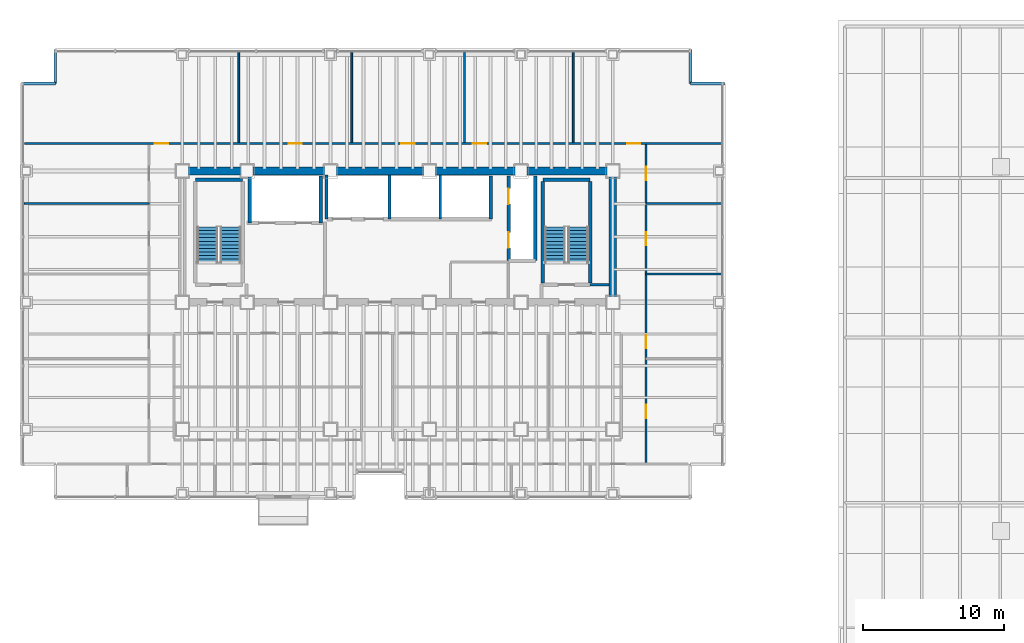
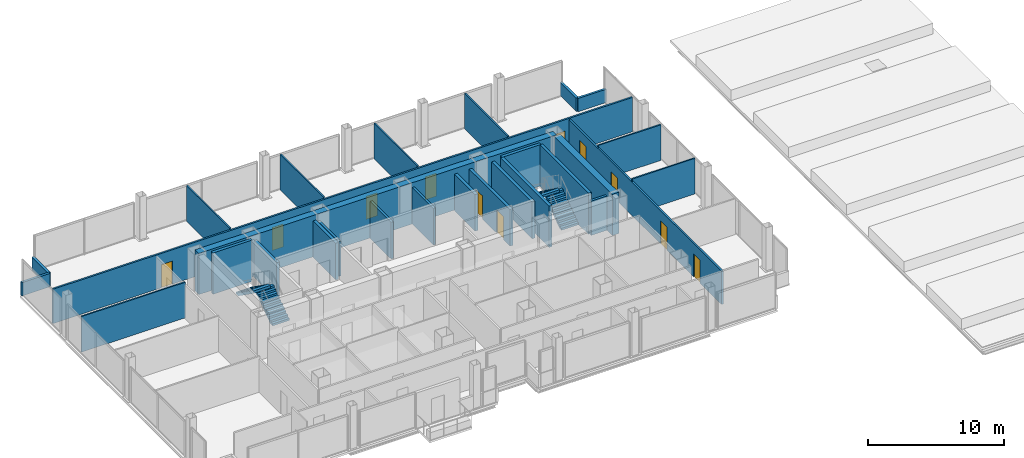
# One storey, part 27 of 30: 28 walls, 11 doors, 4 stair flights, 11 openings, 2 elements without a shape of their own.
"""IFC4 building model written with IfcOpenShell, lengths in metres."""

from ifc_helpers import new_model, si_unit, direction, frame, frame_2d, origin, place, context, subcontext, project, spatial, polyline, rectangle, outline, extrude, material, layer, layer_set, type_object, element, fill, aggregate, save


model = new_model("IFC4")

# Units and contexts
model_context = context("Model", 3, precision=1e-05, world=origin(), true_north=direction((0.0, 1.0)))
body_context = subcontext(model_context, "Body", "Model", "MODEL_VIEW")
ifc_project = project(units=[si_unit("LENGTHUNIT", "METRE"), si_unit("AREAUNIT", "SQUARE_METRE"), si_unit("VOLUMEUNIT", "CUBIC_METRE"), si_unit("PLANEANGLEUNIT", "RADIAN"), si_unit("MASSUNIT", "GRAM", prefix="KILO")], contexts=[model_context])

# Site, building, storey
site_placement = place(None, origin())
site = spatial("IfcSite", under=ifc_project, at=site_placement, CompositionType="ELEMENT")
building_placement = place(site_placement, origin())
building = spatial("IfcBuilding", under=site, at=building_placement, Name="Noeulbin Bourse Tower", CompositionType="ELEMENT")
storey_placement = place(building_placement, frame((0.0, 0.0, 26.5)))
storey = spatial("IfcBuildingStorey", under=building, at=storey_placement, Name="L06", CompositionType="ELEMENT", Elevation=26.5)

# Walls
ifc_material_1 = material(Name="Concrete C60/75", Category="concrete")
ifc_layer_1 = layer(ifc_material_1, 0.550048828125)
ifc_layer_set_1 = layer_set([ifc_layer_1], Name="Concrete C60/75")
wall_type_1 = type_object("IfcWallType", Name="WAL-CORE-550", PredefinedType="SHEAR", material=ifc_layer_set_1)
wall_1_placement = place(storey_placement, frame((13.5, 38.300048828125, 0.0), z_axis=(0.0, 0.0, 1.0), x_axis=(1.0, 0.0, 0.0)))
element("IfcWall", 1, at=wall_1_placement, inside=storey, type_object=wall_type_1, Name="Rear Core North Shear Wall L06", PredefinedType="SHEAR", context=body_context, shape_type="SweptSolid", body=[
    extrude(rectangle(XDim=30.5, YDim=0.550048828125, at=frame_2d((15.25, 0.0))), origin(), (0.0, 0.0, 1.0), 3.719970703125),
])
wall_2_placement = place(storey_placement, frame((44.0, 29.35009765625, 0.0), z_axis=(0.0, 0.0, 1.0), x_axis=(0.0, 1.0, 0.0)))
element("IfcWall", 2, at=wall_2_placement, inside=storey, type_object=wall_type_1, Name="Rear Core East Shear Wall L06", PredefinedType="SHEAR", context=body_context, shape_type="SweptSolid", body=[
    extrude(rectangle(XDim=8.599853515625, YDim=0.550048828125, at=frame_2d((4.2998046875, 0.0))), origin(), (0.0, 0.0, 1.0), 3.719970703125),
])
ifc_material_2 = material(Name="Concrete C40/50", Category="concrete")
ifc_layer_2 = layer(ifc_material_2, 0.199951171875)
ifc_layer_set_2 = layer_set([ifc_layer_2], Name="Concrete C40/50")
wall_type_2 = type_object("IfcWallType", Name="WAL-FIRE-200", PredefinedType="STANDARD", material=ifc_layer_set_2)
wall_3_placement = place(storey_placement, frame((42.39990234375, 30.239990234375, 0.0), z_axis=(0.0, 0.0, 1.0), x_axis=(1.0, 0.0, 0.0)))
element("IfcWall", 3, at=wall_3_placement, inside=storey, type_object=wall_type_2, Name="Interior Partition Wall L06-01", PredefinedType="STANDARD", context=body_context, shape_type="SweptSolid", body=[
    extrude(rectangle(XDim=1.315185546875, YDim=0.199951171875, at=frame_2d((0.65771484375, 0.0))), origin(), (0.0, 0.0, 1.0), 3.10009765625),
])
ifc_layer_3 = layer(ifc_material_2, 0.199951171875)
ifc_layer_set_3 = layer_set([ifc_layer_3], Name="Concrete C40/50")
wall_type_3 = type_object("IfcWallType", Name="WAL-PAR-200", PredefinedType="PARAPET", material=ifc_layer_set_3)
for number, where, z_axis, x_axis, name in (
    (4, (2.10009765625, 44.5, 0.0), (0.0, 0.0, 1.0), (1.0, 0.0, 0.0), "Corner Notch Parapet L06-NW1"),
    (5, (4.5, 44.5, 0.0), (0.0, 0.0, 1.0), (0.0, 1.0, 0.0), "Corner Notch Parapet L06-NW2"),
    (6, (49.5, 46.89990234375, 0.0), (0.0, 0.0, 1.0), (0.0, -1.0, 0.0), "Corner Notch Parapet L06-NE1"),
    (7, (49.5, 44.5, 0.0), (0.0, 0.0, 1.0), (1.0, 0.0, 0.0), "Corner Notch Parapet L06-NE2"),
):
    element("IfcWall", number, at=place(storey_placement, frame(where, z_axis=z_axis, x_axis=x_axis)), inside=storey, type_object=wall_type_3, Name=name, PredefinedType="PARAPET", context=body_context, shape_type="SweptSolid", body=[
        extrude(rectangle(XDim=2.39990234375, YDim=0.199951171875, at=frame_2d((1.199951171875, 0.0))), origin(), (0.0, 0.0, 1.0), 1.199951171875),
    ])
ifc_material_3 = material(Name="Steel Stud Gypsum Partition", Category="steel")
ifc_layer_4 = layer(ifc_material_3, 0.1201171875)
ifc_layer_set_4 = layer_set([ifc_layer_4], Name="Steel Stud Gypsum Partition")
wall_type_4 = type_object("IfcWallType", Name="WAL-PRT-120", PredefinedType="PARTITIONING", material=ifc_layer_set_4)
wall_4_placement = place(storey_placement, frame((2.31005859375, 36.0, 0.0), z_axis=(0.0, 0.0, 1.0), x_axis=(1.0, 0.0, 0.0)))
element("IfcWall", 8, at=wall_4_placement, inside=storey, type_object=wall_type_4, Name="Interior Partition Wall L06-15", PredefinedType="PARTITIONING", context=body_context, shape_type="SweptSolid", body=[
    extrude(rectangle(XDim=8.83984375, YDim=0.1201171875, at=frame_2d((4.419921875, 0.0))), origin(), (0.0, 0.0, 1.0), 3.2119140625),
])
for number, where, z_axis, x_axis, name in (
    (9, (46.35009765625, 31.0, 0.0), (0.0, 0.0, 1.0), (1.0, 0.0, 0.0), "Interior Partition Wall L06-17"),
    (10, (46.35009765625, 36.0, 0.0), (0.0, 0.0, 1.0), (1.0, 0.0, 0.0), "Interior Partition Wall L06-18"),
):
    element("IfcWall", number, at=place(storey_placement, frame(where, z_axis=z_axis, x_axis=x_axis)), inside=storey, type_object=wall_type_4, Name=name, PredefinedType="PARTITIONING", context=body_context, shape_type="SweptSolid", body=[
        extrude(rectangle(XDim=5.33984375, YDim=0.1201171875, at=frame_2d((2.669921875, 0.0))), origin(), (0.0, 0.0, 1.0), 3.2119140625),
    ])
for number, where, z_axis, x_axis, name in (
    (11, (17.5, 40.3349609375, 0.0), (0.0, 0.0, 1.0), (0.0, 1.0, 0.0), "Interior Partition Wall L06-40"),
    (12, (25.5, 40.3349609375, 0.0), (0.0, 0.0, 1.0), (0.0, 1.0, 0.0), "Interior Partition Wall L06-41"),
    (13, (33.5, 40.3349609375, 0.0), (0.0, 0.0, 1.0), (0.0, 1.0, 0.0), "Interior Partition Wall L06-42"),
    (14, (41.199951171875, 40.3349609375, 0.0), (0.0, 0.0, 1.0), (0.0, 1.0, 0.0), "Interior Partition Wall L06-43"),
):
    element("IfcWall", number, at=place(storey_placement, frame(where, z_axis=z_axis, x_axis=x_axis)), inside=storey, type_object=wall_type_4, Name=name, PredefinedType="PARTITIONING", context=body_context, shape_type="SweptSolid", body=[
        extrude(rectangle(XDim=6.35498046875, YDim=0.1201171875, at=frame_2d((3.177490234375, 0.0))), origin(), (0.0, 0.0, 1.0), 3.2119140625),
    ])

# Wall, openings, doors
ifc_material_4 = material(Name="Steel Stud Acoustic Gypsum Board", Category="steel")
ifc_layer_5 = layer(ifc_material_4, 0.14990234375)
ifc_layer_set_5 = layer_set([ifc_layer_5], Name="Steel Stud Acoustic Gypsum Board")
wall_type_5 = type_object("IfcWallType", Name="WAL-PRT-150", PredefinedType="PARTITIONING", material=ifc_layer_set_5)
wall_5_placement = place(storey_placement, frame((2.31005859375, 40.25, 0.0), z_axis=(0.0, 0.0, 1.0), x_axis=(1.0, 0.0, 0.0)))
wall_5 = element("IfcWall", 15, at=wall_5_placement, inside=storey, type_object=wall_type_5, Name="Interior Partition Wall L06-19", PredefinedType="PARTITIONING", context=body_context, shape_type="SweptSolid", body=[
    extrude(rectangle(XDim=49.3798828125, YDim=0.14990234375, at=frame_2d((24.68994140625, 0.0))), origin(), (0.0, 0.0, 1.0), 3.10009765625),
])
opening_1_placement = place(wall_5_placement, frame((9.22998046875, 0.0, 0.0)))
opening_1 = element("IfcOpeningElement", 16, at=opening_1_placement, cuts=wall_5, Name="Opening ID-09", PredefinedType="OPENING", context=body_context, shape_type="SweptSolid", body=[
    extrude(rectangle(XDim=0.949951171875, YDim=2.080078125, at=frame_2d((0.47509765625, 1.0400390625))), frame((0.0, 0.0849609375, 0.0), z_axis=(0.0, -1.0, 0.0), x_axis=(1.0, 0.0, 0.0)), (0.0, 0.0, 1.0), 0.169921875),
])
opening_2_placement = place(wall_5_placement, frame((18.715087890625, 0.0, 0.0)))
opening_2 = element("IfcOpeningElement", 17, at=opening_2_placement, cuts=wall_5, Name="Opening ID-09", PredefinedType="OPENING", context=body_context, shape_type="SweptSolid", body=[
    extrude(rectangle(XDim=0.949951171875, YDim=2.080078125, at=frame_2d((0.47509765625, 1.0400390625))), frame((0.0, 0.0849609375, 0.0), z_axis=(0.0, -1.0, 0.0), x_axis=(1.0, 0.0, 0.0)), (0.0, 0.0, 1.0), 0.169921875),
])
opening_3_placement = place(wall_5_placement, frame((26.715087890625, 0.0, 0.0)))
opening_3 = element("IfcOpeningElement", 18, at=opening_3_placement, cuts=wall_5, Name="Opening ID-09", PredefinedType="OPENING", context=body_context, shape_type="SweptSolid", body=[
    extrude(rectangle(XDim=0.949951171875, YDim=2.080078125, at=frame_2d((0.47509765625, 1.0400390625))), frame((0.0, 0.0849609375, 0.0), z_axis=(0.0, -1.0, 0.0), x_axis=(1.0, 0.0, 0.0)), (0.0, 0.0, 1.0), 0.169921875),
])
opening_4_placement = place(wall_5_placement, frame((31.764892578125, 0.0, 0.0)))
opening_4 = element("IfcOpeningElement", 19, at=opening_4_placement, cuts=wall_5, Name="Opening ID-09", PredefinedType="OPENING", context=body_context, shape_type="SweptSolid", body=[
    extrude(rectangle(XDim=0.949951171875, YDim=2.080078125, at=frame_2d((0.47509765625, 1.0400390625))), frame((0.0, 0.0849609375, 0.0), z_axis=(0.0, -1.0, 0.0), x_axis=(1.0, 0.0, 0.0)), (0.0, 0.0, 1.0), 0.169921875),
])
opening_5_placement = place(wall_5_placement, frame((42.699951171875, 0.0, 0.0)))
opening_5 = element("IfcOpeningElement", 20, at=opening_5_placement, cuts=wall_5, Name="Opening ID-09", PredefinedType="OPENING", context=body_context, shape_type="SweptSolid", body=[
    extrude(rectangle(XDim=0.949951171875, YDim=2.080078125, at=frame_2d((0.47509765625, 1.0400390625))), frame((0.0, 0.0849609375, 0.0), z_axis=(0.0, -1.0, 0.0), x_axis=(1.0, 0.0, 0.0)), (0.0, 0.0, 1.0), 0.169921875),
])
ifc_material_5 = material(Name="Acoustic Solid-Core Timber", Category="wood")
door_type_1 = type_object("IfcDoorType", Name="DR-SINGLE-950", OperationType="SINGLE_SWING_LEFT", PredefinedType="DOOR", material=ifc_material_5)
door_1_placement = place(opening_1_placement, origin())
door_1 = element("IfcDoor", 21, at=door_1_placement, inside=storey, type_object=door_type_1, Name="Interior Door L06-33", OperationType="SINGLE_SWING_RIGHT", OverallHeight=2.080078125, OverallWidth=0.949951171875, PredefinedType="DOOR", context=body_context, shape_type="SweptSolid", body=[
    extrude(rectangle(XDim=0.949951171875, YDim=2.080078125, at=frame_2d((0.47509765625, 1.0400390625))), frame((0.0, 0.02490234375, 0.0), z_axis=(0.0, -1.0, 0.0), x_axis=(1.0, 0.0, 0.0)), (0.0, 0.0, 1.0), 0.050048828125),
])
fill(opening_1, door_1)
door_2_placement = place(opening_2_placement, origin())
door_2 = element("IfcDoor", 22, at=door_2_placement, inside=storey, type_object=door_type_1, Name="Interior Door L06-34", OperationType="SINGLE_SWING_LEFT", OverallHeight=2.080078125, OverallWidth=0.949951171875, PredefinedType="DOOR", context=body_context, shape_type="SweptSolid", body=[
    extrude(rectangle(XDim=0.949951171875, YDim=2.080078125, at=frame_2d((0.47509765625, 1.0400390625))), frame((0.0, 0.02490234375, 0.0), z_axis=(0.0, -1.0, 0.0), x_axis=(1.0, 0.0, 0.0)), (0.0, 0.0, 1.0), 0.050048828125),
])
fill(opening_2, door_2)
door_3_placement = place(opening_3_placement, origin())
door_3 = element("IfcDoor", 23, at=door_3_placement, inside=storey, type_object=door_type_1, Name="Interior Door L06-35", OperationType="SINGLE_SWING_RIGHT", OverallHeight=2.080078125, OverallWidth=0.949951171875, PredefinedType="DOOR", context=body_context, shape_type="SweptSolid", body=[
    extrude(rectangle(XDim=0.949951171875, YDim=2.080078125, at=frame_2d((0.47509765625, 1.0400390625))), frame((0.0, 0.02490234375, 0.0), z_axis=(0.0, -1.0, 0.0), x_axis=(1.0, 0.0, 0.0)), (0.0, 0.0, 1.0), 0.050048828125),
])
fill(opening_3, door_3)
door_4_placement = place(opening_4_placement, origin())
door_4 = element("IfcDoor", 24, at=door_4_placement, inside=storey, type_object=door_type_1, Name="Interior Door L06-36", OperationType="SINGLE_SWING_LEFT", OverallHeight=2.080078125, OverallWidth=0.949951171875, PredefinedType="DOOR", context=body_context, shape_type="SweptSolid", body=[
    extrude(rectangle(XDim=0.949951171875, YDim=2.080078125, at=frame_2d((0.47509765625, 1.0400390625))), frame((0.0, 0.02490234375, 0.0), z_axis=(0.0, -1.0, 0.0), x_axis=(1.0, 0.0, 0.0)), (0.0, 0.0, 1.0), 0.050048828125),
])
fill(opening_4, door_4)
door_5_placement = place(opening_5_placement, origin())
door_5 = element("IfcDoor", 25, at=door_5_placement, inside=storey, type_object=door_type_1, Name="Interior Door L06-37", OperationType="SINGLE_SWING_RIGHT", OverallHeight=2.080078125, OverallWidth=0.949951171875, PredefinedType="DOOR", context=body_context, shape_type="SweptSolid", body=[
    extrude(rectangle(XDim=0.949951171875, YDim=2.080078125, at=frame_2d((0.47509765625, 1.0400390625))), frame((0.0, 0.02490234375, 0.0), z_axis=(0.0, -1.0, 0.0), x_axis=(1.0, 0.0, 0.0)), (0.0, 0.0, 1.0), 0.050048828125),
])
fill(opening_5, door_5)

wall_6_placement = place(storey_placement, frame((46.35009765625, 17.635009765625, 0.0), z_axis=(0.0, 0.0, 1.0), x_axis=(0.0, 1.0, 0.0)))
wall_6 = element("IfcWall", 26, at=wall_6_placement, inside=storey, type_object=wall_type_5, Name="Interior Partition Wall L06-29", PredefinedType="PARTITIONING", context=body_context, shape_type="SweptSolid", body=[
    extrude(rectangle(XDim=22.530029296875, YDim=0.14990234375, at=frame_2d((11.26513671875, 0.0))), origin(), (0.0, 0.0, 1.0), 3.0),
])
opening_6_placement = place(wall_6_placement, frame((3.1650390625, 0.0, 0.0)))
opening_6 = element("IfcOpeningElement", 27, at=opening_6_placement, cuts=wall_6, Name="Opening ID-09", PredefinedType="OPENING", context=body_context, shape_type="SweptSolid", body=[
    extrude(rectangle(XDim=0.949951171875, YDim=2.080078125, at=frame_2d((0.47509765625, 1.0400390625))), frame((0.0, 0.0849609375, 0.0), z_axis=(0.0, -1.0, 0.0), x_axis=(1.0, 0.0, 0.0)), (0.0, 0.0, 1.0), 0.169921875),
])
opening_7_placement = place(wall_6_placement, frame((8.090087890625, 0.0, 0.0)))
opening_7 = element("IfcOpeningElement", 28, at=opening_7_placement, cuts=wall_6, Name="Opening ID-09", PredefinedType="OPENING", context=body_context, shape_type="SweptSolid", body=[
    extrude(rectangle(XDim=0.949951171875, YDim=2.080078125, at=frame_2d((0.47509765625, 1.0400390625))), frame((0.0, 0.0849609375, 0.0), z_axis=(0.0, -1.0, 0.0), x_axis=(1.0, 0.0, 0.0)), (0.0, 0.0, 1.0), 0.169921875),
])
opening_8_placement = place(wall_6_placement, frame((15.389892578125, 0.0, 0.0)))
opening_8 = element("IfcOpeningElement", 29, at=opening_8_placement, cuts=wall_6, Name="Opening ID-09", PredefinedType="OPENING", context=body_context, shape_type="SweptSolid", body=[
    extrude(rectangle(XDim=0.949951171875, YDim=2.080078125, at=frame_2d((0.47509765625, 1.0400390625))), frame((0.0, 0.0849609375, 0.0), z_axis=(0.0, -1.0, 0.0), x_axis=(1.0, 0.0, 0.0)), (0.0, 0.0, 1.0), 0.169921875),
])
opening_9_placement = place(wall_6_placement, frame((20.014892578125, 0.0, 0.0)))
opening_9 = element("IfcOpeningElement", 30, at=opening_9_placement, cuts=wall_6, Name="Opening ID-09", PredefinedType="OPENING", context=body_context, shape_type="SweptSolid", body=[
    extrude(rectangle(XDim=0.949951171875, YDim=2.080078125, at=frame_2d((0.47509765625, 1.0400390625))), frame((0.0, 0.0849609375, 0.0), z_axis=(0.0, -1.0, 0.0), x_axis=(1.0, 0.0, 0.0)), (0.0, 0.0, 1.0), 0.169921875),
])
door_6_placement = place(opening_6_placement, origin())
door_6 = element("IfcDoor", 31, at=door_6_placement, inside=storey, type_object=door_type_1, Name="Interior Door L06-29", OperationType="SINGLE_SWING_RIGHT", OverallHeight=2.080078125, OverallWidth=0.949951171875, PredefinedType="DOOR", context=body_context, shape_type="SweptSolid", body=[
    extrude(rectangle(XDim=0.949951171875, YDim=2.080078125, at=frame_2d((0.47509765625, 1.0400390625))), frame((0.0, 0.02490234375, 0.0), z_axis=(0.0, -1.0, 0.0), x_axis=(1.0, 0.0, 0.0)), (0.0, 0.0, 1.0), 0.050048828125),
])
fill(opening_6, door_6)
door_7_placement = place(opening_7_placement, origin())
door_7 = element("IfcDoor", 32, at=door_7_placement, inside=storey, type_object=door_type_1, Name="Interior Door L06-30", OperationType="SINGLE_SWING_LEFT", OverallHeight=2.080078125, OverallWidth=0.949951171875, PredefinedType="DOOR", context=body_context, shape_type="SweptSolid", body=[
    extrude(rectangle(XDim=0.949951171875, YDim=2.080078125, at=frame_2d((0.47509765625, 1.0400390625))), frame((0.0, 0.02490234375, 0.0), z_axis=(0.0, -1.0, 0.0), x_axis=(1.0, 0.0, 0.0)), (0.0, 0.0, 1.0), 0.050048828125),
])
fill(opening_7, door_7)
door_8_placement = place(opening_8_placement, origin())
door_8 = element("IfcDoor", 33, at=door_8_placement, inside=storey, type_object=door_type_1, Name="Interior Door L06-31", OperationType="SINGLE_SWING_RIGHT", OverallHeight=2.080078125, OverallWidth=0.949951171875, PredefinedType="DOOR", context=body_context, shape_type="SweptSolid", body=[
    extrude(rectangle(XDim=0.949951171875, YDim=2.080078125, at=frame_2d((0.47509765625, 1.0400390625))), frame((0.0, 0.02490234375, 0.0), z_axis=(0.0, -1.0, 0.0), x_axis=(1.0, 0.0, 0.0)), (0.0, 0.0, 1.0), 0.050048828125),
])
fill(opening_8, door_8)
door_9_placement = place(opening_9_placement, origin())
door_9 = element("IfcDoor", 34, at=door_9_placement, inside=storey, type_object=door_type_1, Name="Interior Door L06-32", OperationType="SINGLE_SWING_LEFT", OverallHeight=2.080078125, OverallWidth=0.949951171875, PredefinedType="DOOR", context=body_context, shape_type="SweptSolid", body=[
    extrude(rectangle(XDim=0.949951171875, YDim=2.080078125, at=frame_2d((0.47509765625, 1.0400390625))), frame((0.0, 0.02490234375, 0.0), z_axis=(0.0, -1.0, 0.0), x_axis=(1.0, 0.0, 0.0)), (0.0, 0.0, 1.0), 0.050048828125),
])
fill(opening_9, door_9)

# Walls
ifc_layer_6 = layer(ifc_material_2, 0.25)
ifc_layer_set_6 = layer_set([ifc_layer_6], Name="Concrete C40/50")
wall_type_6 = type_object("IfcWallType", Name="WAL-SHFT-250", PredefinedType="STANDARD", material=ifc_layer_set_6)
wall_7_placement = place(storey_placement, frame((14.429931640625, 37.6689453125, 0.0), z_axis=(0.0, 0.0, 1.0), x_axis=(1.0, 0.0, 0.0)))
element("IfcWall", 35, at=wall_7_placement, inside=storey, type_object=wall_type_6, Name="Stair ST-1 North Shaft Wall L06", PredefinedType="STANDARD", context=body_context, shape_type="SweptSolid", body=[
    extrude(rectangle(XDim=3.340087890625, YDim=0.25, at=frame_2d((1.669921875, 0.0))), origin(), (0.0, 0.0, 1.0), 3.719970703125),
])
wall_8_placement = place(storey_placement, frame((39.06005859375, 37.6689453125, 0.0), z_axis=(0.0, 0.0, 1.0), x_axis=(1.0, 0.0, 0.0)))
element("IfcWall", 36, at=wall_8_placement, inside=storey, type_object=wall_type_6, Name="Stair ST-2 North Shaft Wall L06", PredefinedType="STANDARD", context=body_context, shape_type="SweptSolid", body=[
    extrude(rectangle(XDim=3.33984375, YDim=0.25, at=frame_2d((1.669921875, 0.0))), origin(), (0.0, 0.0, 1.0), 3.719970703125),
])
for number, where, z_axis, x_axis, name in (
    (37, (39.054931640625, 30.360107421875, 0.0), (0.0, 0.0, 1.0), (0.0, 1.0, 0.0), "Stair ST-2 West Shaft Wall L06"),
    (38, (42.405029296875, 30.360107421875, 0.0), (0.0, 0.0, 1.0), (0.0, 1.0, 0.0), "Stair ST-2 East Shaft Wall L06"),
):
    element("IfcWall", number, at=place(storey_placement, frame(where, z_axis=z_axis, x_axis=x_axis)), inside=storey, type_object=wall_type_6, Name=name, PredefinedType="STANDARD", context=body_context, shape_type="SweptSolid", body=[
        extrude(rectangle(XDim=7.183837890625, YDim=0.25, at=frame_2d((3.591796875, 0.0))), origin(), (0.0, 0.0, 1.0), 3.719970703125),
    ])

# Wall, openings, doors
wall_9_placement = place(storey_placement, frame((36.6201171875, 31.949951171875, 0.0), z_axis=(0.0, 0.0, 1.0), x_axis=(0.0, 1.0, 0.0)))
wall_9 = element("IfcWall", 39, at=wall_9_placement, inside=storey, type_object=wall_type_6, Name="Service Lift Shaft Wall L06", PredefinedType="STANDARD", context=body_context, shape_type="SweptSolid", body=[
    extrude(rectangle(XDim=6.0, YDim=0.25, at=frame_2d((3.0, 0.0))), origin(), (0.0, 0.0, 1.0), 3.300048828125),
])
opening_10_placement = place(wall_9_placement, frame((0.89990234375, 0.0, 0.0)))
opening_10 = element("IfcOpeningElement", 40, at=opening_10_placement, cuts=wall_9, Name="Opening LD-11", PredefinedType="OPENING", context=body_context, shape_type="SweptSolid", body=[
    extrude(rectangle(XDim=1.10009765625, YDim=2.080078125, at=frame_2d((0.550048828125, 1.0400390625))), frame((0.0, 0.135009765625, 0.0), z_axis=(0.0, -1.0, 0.0), x_axis=(1.0, 0.0, 0.0)), (0.0, 0.0, 1.0), 0.27001953125),
])
opening_11_placement = place(wall_9_placement, frame((4.0, 0.0, 0.0)))
opening_11 = element("IfcOpeningElement", 41, at=opening_11_placement, cuts=wall_9, Name="Opening LD-11", PredefinedType="OPENING", context=body_context, shape_type="SweptSolid", body=[
    extrude(rectangle(XDim=1.10009765625, YDim=2.080078125, at=frame_2d((0.550048828125, 1.0400390625))), frame((0.0, 0.135009765625, 0.0), z_axis=(0.0, -1.0, 0.0), x_axis=(1.0, 0.0, 0.0)), (0.0, 0.0, 1.0), 0.27001953125),
])
ifc_material_6 = material(Name="Brushed Stainless Steel 316", Category="steel")
door_type_2 = type_object("IfcDoorType", Name="DR-LIFT-1100", OperationType="SLIDING_TO_LEFT", PredefinedType="DOOR", material=ifc_material_6)
door_10_placement = place(opening_10_placement, origin())
door_10 = element("IfcDoor", 42, at=door_10_placement, inside=storey, type_object=door_type_2, Name="Lift Landing Door LD-EL-01-L06", OperationType="SLIDING_TO_LEFT", OverallHeight=2.080078125, OverallWidth=1.10009765625, PredefinedType="DOOR", context=body_context, shape_type="SweptSolid", body=[
    extrude(rectangle(XDim=1.10009765625, YDim=2.080078125, at=frame_2d((0.550048828125, 1.0400390625))), frame((0.0, 0.02490234375, 0.0), z_axis=(0.0, -1.0, 0.0), x_axis=(1.0, 0.0, 0.0)), (0.0, 0.0, 1.0), 0.050048828125),
])
fill(opening_10, door_10)
door_11_placement = place(opening_11_placement, origin())
door_11 = element("IfcDoor", 43, at=door_11_placement, inside=storey, type_object=door_type_2, Name="Lift Landing Door LD-SV-01-L06", OperationType="SLIDING_TO_LEFT", OverallHeight=2.080078125, OverallWidth=1.10009765625, PredefinedType="DOOR", context=body_context, shape_type="SweptSolid", body=[
    extrude(rectangle(XDim=1.10009765625, YDim=2.080078125, at=frame_2d((0.550048828125, 1.0400390625))), frame((0.0, 0.02490234375, 0.0), z_axis=(0.0, -1.0, 0.0), x_axis=(1.0, 0.0, 0.0)), (0.0, 0.0, 1.0), 0.050048828125),
])
fill(opening_11, door_11)

# Walls
wall_10_placement = place(storey_placement, frame((38.52001953125, 31.949951171875, 0.0), z_axis=(0.0, 0.0, 1.0), x_axis=(0.0, 1.0, 0.0)))
element("IfcWall", 44, at=wall_10_placement, inside=storey, type_object=wall_type_6, Name="Service Lift East Shaft Wall L06", PredefinedType="STANDARD", context=body_context, shape_type="SweptSolid", body=[
    extrude(rectangle(XDim=6.0, YDim=0.25, at=frame_2d((3.0, 0.0))), origin(), (0.0, 0.0, 1.0), 3.300048828125),
])
for number, where, z_axis, x_axis, name in (
    (45, (18.280029296875, 34.6201171875, 0.0), (0.0, 0.0, 1.0), (0.0, 1.0, 0.0), "Firefighting Lift West Shaft Wall L06"),
    (46, (23.320068359375, 34.6201171875, 0.0), (0.0, 0.0, 1.0), (0.0, 1.0, 0.0), "Firefighting Lift East Shaft Wall L06"),
):
    element("IfcWall", number, at=place(storey_placement, frame(where, z_axis=z_axis, x_axis=x_axis)), inside=storey, type_object=wall_type_6, Name=name, PredefinedType="STANDARD", context=body_context, shape_type="SweptSolid", body=[
        extrude(rectangle(XDim=3.329833984375, YDim=0.25, at=frame_2d((1.6650390625, 0.0))), origin(), (0.0, 0.0, 1.0), 3.300048828125),
    ])
wall_11_placement = place(storey_placement, frame((35.360107421875, 34.89990234375, 0.0), z_axis=(0.0, 0.0, 1.0), x_axis=(0.0, 1.0, 0.0)))
element("IfcWall", 47, at=wall_11_placement, inside=storey, type_object=wall_type_6, Name="High-Rise Lift East Shaft Wall L06", PredefinedType="STANDARD", context=body_context, shape_type="SweptSolid", body=[
    extrude(rectangle(XDim=3.050048828125, YDim=0.25, at=frame_2d((1.52490234375, 0.0))), origin(), (0.0, 0.0, 1.0), 3.300048828125),
])
wall_12_placement = place(storey_placement, frame((23.719970703125, 34.89990234375, 0.0), z_axis=(0.0, 0.0, 1.0), x_axis=(0.0, 1.0, 0.0)))
element("IfcWall", 48, at=wall_12_placement, inside=storey, type_object=wall_type_6, Name="Hoistway Side Shaft Wall L06-PLLW", PredefinedType="STANDARD", context=body_context, shape_type="SweptSolid", body=[
    extrude(rectangle(XDim=3.1201171875, YDim=0.199951171875, at=frame_2d((1.56005859375, 0.0))), origin(), (0.0, 0.0, 1.0), 3.10009765625),
])
for number, where, z_axis, x_axis, name in (
    (49, (28.179931640625, 34.89990234375, 0.0), (0.0, 0.0, 1.0), (0.0, 1.0, 0.0), "Hoistway Side Shaft Wall L06-PLMW"),
    (50, (31.780029296875, 34.89990234375, 0.0), (0.0, 0.0, 1.0), (0.0, 1.0, 0.0), "Hoistway Side Shaft Wall L06-PLHW"),
):
    element("IfcWall", number, at=place(storey_placement, frame(where, z_axis=z_axis, x_axis=x_axis)), inside=storey, type_object=wall_type_6, Name=name, PredefinedType="STANDARD", context=body_context, shape_type="SweptSolid", body=[
        extrude(rectangle(XDim=3.1201171875, YDim=0.199951171875, at=frame_2d((1.56005859375, 0.0))), origin(), (0.0, 0.0, 1.0), 3.300048828125),
    ])

# Stair, stair flights
stair_type = type_object("IfcStairType", Name="STR-CORE-1560", PredefinedType="HALF_TURN_STAIR", material=ifc_material_2)
stair_1_placement = place(storey_placement, origin())
stair_1 = element("IfcStair", 51, at=stair_1_placement, inside=storey, type_object=stair_type, Name="L06 ST-1", PredefinedType="HALF_TURN_STAIR")
stair_flight_type = type_object("IfcStairFlightType", Name="SFL-CORE-1560", PredefinedType="STRAIGHT", material=ifc_material_2)
stair_flight_1_placement = place(storey_placement, frame((16.925048828125, 31.81005859375, 0.0), z_axis=(0.0, 0.0, 1.0), x_axis=(0.0, 1.0, 0.0)))
stair_flight_1 = element("IfcStairFlight", 52, at=stair_flight_1_placement, type_object=stair_flight_type, Name="ST-1 flight 1", NumberOfRisers=11, NumberOfTreads=10, PredefinedType="STRAIGHT", RiserHeight=0.177272727, TreadLength=0.252, context=body_context, shape_type="SweptSolid", body=[
    extrude(outline(polyline([(0.0, 0.0), (0.0, 0.17724609375), (0.251953125, 0.17724609375), (0.251953125, 0.3544921875), (0.50390625, 0.3544921875), (0.50390625, 0.53173828125), (0.756103515625, 0.53173828125), (0.756103515625, 0.708984375), (1.008056640625, 0.708984375), (1.008056640625, 0.886474609375), (1.260009765625, 0.886474609375), (1.260009765625, 1.063720703125), (1.511962890625, 1.063720703125), (1.511962890625, 1.240966796875), (1.763916015625, 1.240966796875), (1.763916015625, 1.418212890625), (2.01611328125, 1.418212890625), (2.01611328125, 1.595458984375), (2.26806640625, 1.595458984375), (2.26806640625, 1.772705078125), (2.52001953125, 1.772705078125), (2.52001953125, 1.949951171875), (2.52001953125, 1.552734375), (0.312744140625, 0.0), (0.0, 0.0)])), frame((0.0, 0.72509765625, 0.0), z_axis=(0.0, -1.0, 0.0), x_axis=(1.0, 0.0, 0.0)), (0.0, 0.0, 1.0), 1.449951171875),
])
stair_flight_2_placement = place(storey_placement, frame((15.27490234375, 34.330078125, 1.949951171875), z_axis=(0.0, 0.0, 1.0), x_axis=(0.0, -1.0, 0.0)))
stair_flight_2 = element("IfcStairFlight", 53, at=stair_flight_2_placement, type_object=stair_flight_type, Name="ST-1 flight 2", NumberOfRisers=11, NumberOfTreads=10, PredefinedType="STRAIGHT", RiserHeight=0.177272727, TreadLength=0.252, context=body_context, shape_type="SweptSolid", body=[
    extrude(outline(polyline([(0.0, 0.0), (0.0, 0.17724609375), (0.251953125, 0.17724609375), (0.251953125, 0.3544921875), (0.50390625, 0.3544921875), (0.50390625, 0.53173828125), (0.756103515625, 0.53173828125), (0.756103515625, 0.708984375), (1.008056640625, 0.708984375), (1.008056640625, 0.886474609375), (1.260009765625, 0.886474609375), (1.260009765625, 1.063720703125), (1.511962890625, 1.063720703125), (1.511962890625, 1.240966796875), (1.763916015625, 1.240966796875), (1.763916015625, 1.418212890625), (2.01611328125, 1.418212890625), (2.01611328125, 1.595458984375), (2.26806640625, 1.595458984375), (2.26806640625, 1.772705078125), (2.52001953125, 1.772705078125), (2.52001953125, 1.949951171875), (2.52001953125, 1.552734375), (0.312744140625, 0.0), (0.0, 0.0)])), frame((0.0, 0.72509765625, 0.0), z_axis=(0.0, -1.0, 0.0), x_axis=(1.0, 0.0, 0.0)), (0.0, 0.0, 1.0), 1.449951171875),
])
aggregate(stair_1, [stair_flight_1, stair_flight_2])

stair_2_placement = place(storey_placement, origin())
stair_2 = element("IfcStair", 54, at=stair_2_placement, inside=storey, type_object=stair_type, Name="L06 ST-2", PredefinedType="HALF_TURN_STAIR")
stair_flight_3_placement = place(storey_placement, frame((41.554931640625, 31.81005859375, 0.0), z_axis=(0.0, 0.0, 1.0), x_axis=(0.0, 1.0, 0.0)))
stair_flight_3 = element("IfcStairFlight", 55, at=stair_flight_3_placement, type_object=stair_flight_type, Name="ST-2 flight 1", NumberOfRisers=11, NumberOfTreads=10, PredefinedType="STRAIGHT", RiserHeight=0.177272727, TreadLength=0.252, context=body_context, shape_type="SweptSolid", body=[
    extrude(outline(polyline([(0.0, 0.0), (0.0, 0.17724609375), (0.251953125, 0.17724609375), (0.251953125, 0.3544921875), (0.50390625, 0.3544921875), (0.50390625, 0.53173828125), (0.756103515625, 0.53173828125), (0.756103515625, 0.708984375), (1.008056640625, 0.708984375), (1.008056640625, 0.886474609375), (1.260009765625, 0.886474609375), (1.260009765625, 1.063720703125), (1.511962890625, 1.063720703125), (1.511962890625, 1.240966796875), (1.763916015625, 1.240966796875), (1.763916015625, 1.418212890625), (2.01611328125, 1.418212890625), (2.01611328125, 1.595458984375), (2.26806640625, 1.595458984375), (2.26806640625, 1.772705078125), (2.52001953125, 1.772705078125), (2.52001953125, 1.949951171875), (2.52001953125, 1.552734375), (0.312744140625, 0.0), (0.0, 0.0)])), frame((0.0, 0.72509765625, 0.0), z_axis=(0.0, -1.0, 0.0), x_axis=(1.0, 0.0, 0.0)), (0.0, 0.0, 1.0), 1.449951171875),
])
stair_flight_4_placement = place(storey_placement, frame((39.905029296875, 34.330078125, 1.949951171875), z_axis=(0.0, 0.0, 1.0), x_axis=(0.0, -1.0, 0.0)))
stair_flight_4 = element("IfcStairFlight", 56, at=stair_flight_4_placement, type_object=stair_flight_type, Name="ST-2 flight 2", NumberOfRisers=11, NumberOfTreads=10, PredefinedType="STRAIGHT", RiserHeight=0.177272727, TreadLength=0.252, context=body_context, shape_type="SweptSolid", body=[
    extrude(outline(polyline([(0.0, 0.0), (0.0, 0.17724609375), (0.251953125, 0.17724609375), (0.251953125, 0.3544921875), (0.50390625, 0.3544921875), (0.50390625, 0.53173828125), (0.756103515625, 0.53173828125), (0.756103515625, 0.708984375), (1.008056640625, 0.708984375), (1.008056640625, 0.886474609375), (1.260009765625, 0.886474609375), (1.260009765625, 1.063720703125), (1.511962890625, 1.063720703125), (1.511962890625, 1.240966796875), (1.763916015625, 1.240966796875), (1.763916015625, 1.418212890625), (2.01611328125, 1.418212890625), (2.01611328125, 1.595458984375), (2.26806640625, 1.595458984375), (2.26806640625, 1.772705078125), (2.52001953125, 1.772705078125), (2.52001953125, 1.949951171875), (2.52001953125, 1.552734375), (0.312744140625, 0.0), (0.0, 0.0)])), frame((0.0, 0.72509765625, 0.0), z_axis=(0.0, -1.0, 0.0), x_axis=(1.0, 0.0, 0.0)), (0.0, 0.0, 1.0), 1.449951171875),
])
aggregate(stair_2, [stair_flight_3, stair_flight_4])

save(model, "model.ifc")
